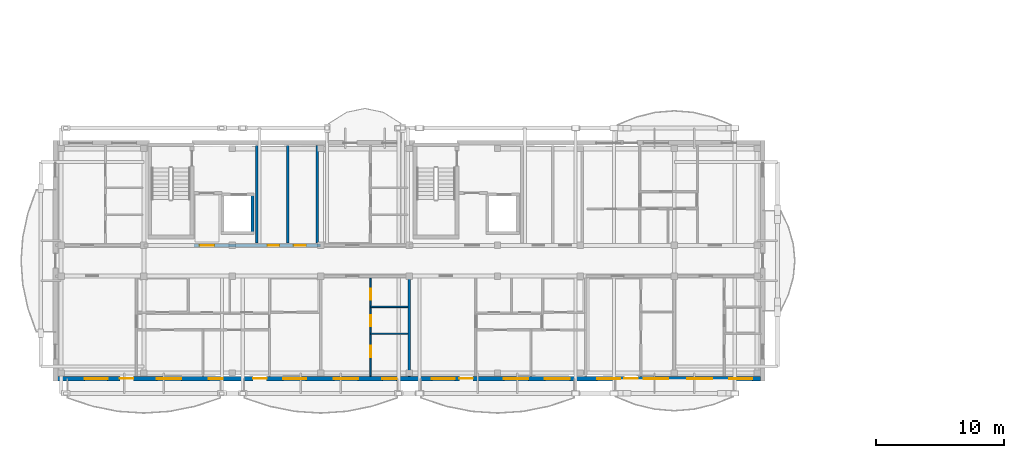
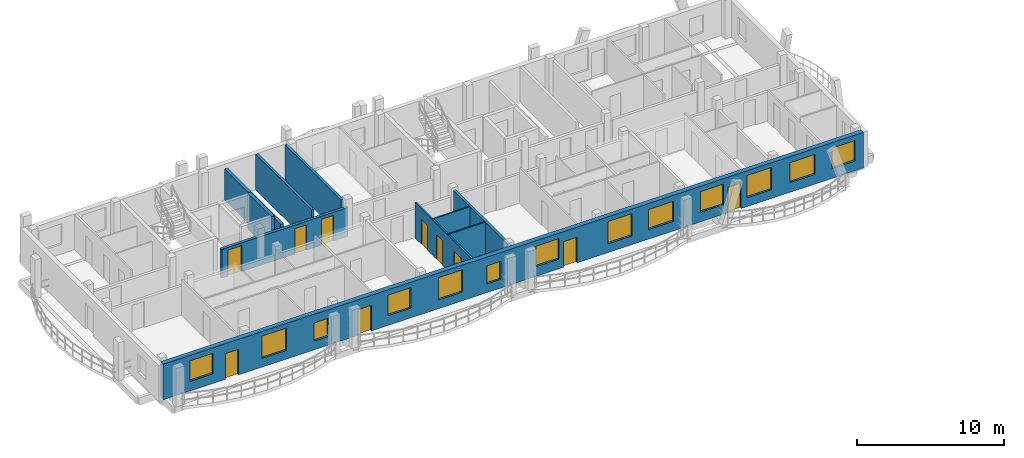
# One storey, part 15 of 44: 13 windows, 10 doors, 10 walls, 23 openings.
"""IFC4 building model written with IfcOpenShell, lengths in metres."""

from ifc_helpers import new_model, si_unit, direction, frame, frame_2d, origin, origin_with_axes, place, context, subcontext, project, spatial, rectangle, extrude, material, layer, layer_set, type_object, element, fill, save


model = new_model("IFC4")

# Units and contexts
model_context = context("Model", 3, precision=1e-05, world=origin(), true_north=direction((0.0, 1.0)))
body_context = subcontext(model_context, "Body", "Model", "MODEL_VIEW")
ifc_project = project(units=[si_unit("LENGTHUNIT", "METRE"), si_unit("AREAUNIT", "SQUARE_METRE"), si_unit("VOLUMEUNIT", "CUBIC_METRE"), si_unit("PLANEANGLEUNIT", "RADIAN"), si_unit("MASSUNIT", "GRAM", prefix="KILO")], contexts=[model_context])

# Site, building, storey
site_placement = place(None, origin())
site = spatial("IfcSite", under=ifc_project, at=site_placement, CompositionType="ELEMENT")
building_placement = place(site_placement, origin())
building = spatial("IfcBuilding", under=site, at=building_placement, Name="Zavelmont Quarter", CompositionType="ELEMENT")
storey_placement = place(building_placement, frame((0.0, 0.0, 20.800048828125)))
storey = spatial("IfcBuildingStorey", under=building, at=storey_placement, Name="L06", CompositionType="ELEMENT", Elevation=20.800048828125)

# Wall, openings, doors, windows
ifc_material_1 = material(Name="Natural Belgian limestone", Category="masonry")
ifc_layer_1 = layer(ifc_material_1, 0.360107421875)
ifc_layer_set_1 = layer_set([ifc_layer_1], Name="Natural Belgian limestone")
wall_type_1 = type_object("IfcWallType", Name="EW02", PredefinedType="STANDARD", material=ifc_layer_set_1)
wall_1_placement = place(storey_placement, frame((0.169921875, 0.0, 0.0), z_axis=(0.0, 0.0, 1.0), x_axis=(1.0, 0.0, 0.0)))
wall_1 = element("IfcWall", 1, at=wall_1_placement, inside=storey, type_object=wall_type_1, Name="L06 exterior limestone wall EW02", PredefinedType="STANDARD", context=body_context, shape_type="SweptSolid", body=[
    extrude(rectangle(XDim=54.860107421875, YDim=0.360107421875, at=frame_2d((27.43017578125, 0.0))), origin(), (0.0, 0.0, 1.0), 2.949951171875),
])
opening_1_placement = place(wall_1_placement, frame((4.8623046875, 0.0, 0.0)))
opening_1 = element("IfcOpeningElement", 2, at=opening_1_placement, cuts=wall_1, Name="Opening DR04A", PredefinedType="OPENING", context=body_context, shape_type="SweptSolid", body=[
    extrude(rectangle(XDim=1.050048828125, YDim=2.1201171875, at=frame_2d((0.52490234375, 1.06005859375))), frame((0.0, 0.19189453125, 0.0), z_axis=(0.0, -1.0, 0.0), x_axis=(1.0, 0.0, 0.0)), (0.0, 0.0, 1.0), 0.384033203125),
])
opening_2_placement = place(wall_1_placement, frame((15.26220703125, 0.0, 0.0)))
opening_2 = element("IfcOpeningElement", 3, at=opening_2_placement, cuts=wall_1, Name="Opening DR04A", PredefinedType="OPENING", context=body_context, shape_type="SweptSolid", body=[
    extrude(rectangle(XDim=1.050048828125, YDim=2.1201171875, at=frame_2d((0.52490234375, 1.06005859375))), frame((0.0, 0.19189453125, 0.0), z_axis=(0.0, -1.0, 0.0), x_axis=(1.0, 0.0, 0.0)), (0.0, 0.0, 1.0), 0.384033203125),
])
opening_3_placement = place(wall_1_placement, frame((31.3623046875, 0.0, 0.0)))
opening_3 = element("IfcOpeningElement", 4, at=opening_3_placement, cuts=wall_1, Name="Opening DR04A", PredefinedType="OPENING", context=body_context, shape_type="SweptSolid", body=[
    extrude(rectangle(XDim=1.050048828125, YDim=2.1201171875, at=frame_2d((0.52490234375, 1.06005859375))), frame((0.0, 0.19189453125, 0.0), z_axis=(0.0, -1.0, 0.0), x_axis=(1.0, 0.0, 0.0)), (0.0, 0.0, 1.0), 0.384033203125),
])
opening_4_placement = place(wall_1_placement, frame((44.2353515625, 0.0, 0.0)))
opening_4 = element("IfcOpeningElement", 5, at=opening_4_placement, cuts=wall_1, Name="Opening DR04A", PredefinedType="OPENING", context=body_context, shape_type="SweptSolid", body=[
    extrude(rectangle(XDim=1.050048828125, YDim=2.1201171875, at=frame_2d((0.52490234375, 1.06005859375))), frame((0.0, 0.19189453125, 0.0), z_axis=(0.0, -1.0, 0.0), x_axis=(1.0, 0.0, 0.0)), (0.0, 0.0, 1.0), 0.384033203125),
])
opening_5_placement = place(wall_1_placement, frame((2.10009765625, 0.0, 0.800048828125)))
opening_5 = element("IfcOpeningElement", 6, at=opening_5_placement, cuts=wall_1, Name="Opening WN02", PredefinedType="OPENING", context=body_context, shape_type="SweptSolid", body=[
    extrude(rectangle(XDim=1.800048828125, YDim=1.699951171875, at=frame_2d((0.89990234375, 0.85009765625))), frame((0.0, 0.19189453125, 0.0), z_axis=(0.0, -1.0, 0.0), x_axis=(1.0, 0.0, 0.0)), (0.0, 0.0, 1.0), 0.384033203125),
])
opening_6_placement = place(wall_1_placement, frame((7.75, 0.0, 0.719970703125)))
opening_6 = element("IfcOpeningElement", 7, at=opening_6_placement, cuts=wall_1, Name="Opening WN20", PredefinedType="OPENING", context=body_context, shape_type="SweptSolid", body=[
    extrude(rectangle(XDim=1.89990234375, YDim=1.85009765625, at=frame_2d((0.949951171875, 0.925048828125))), frame((0.0, 0.19189453125, 0.0), z_axis=(0.0, -1.0, 0.0), x_axis=(1.0, 0.0, 0.0)), (0.0, 0.0, 1.0), 0.384033203125),
])
opening_7_placement = place(wall_1_placement, frame((11.800048828125, 0.0, 0.719970703125)))
opening_7 = element("IfcOpeningElement", 8, at=opening_7_placement, cuts=wall_1, Name="Opening WN09", PredefinedType="OPENING", context=body_context, shape_type="SweptSolid", body=[
    extrude(rectangle(XDim=1.10009765625, YDim=1.5, at=frame_2d((0.550048828125, 0.75))), frame((0.0, 0.19189453125, 0.0), z_axis=(0.0, -1.0, 0.0), x_axis=(1.0, 0.0, 0.0)), (0.0, 0.0, 1.0), 0.384033203125),
])
opening_8_placement = place(wall_1_placement, frame((17.60009765625, 0.0, 0.800048828125)))
opening_8 = element("IfcOpeningElement", 9, at=opening_8_placement, cuts=wall_1, Name="Opening WN02", PredefinedType="OPENING", context=body_context, shape_type="SweptSolid", body=[
    extrude(rectangle(XDim=1.800048828125, YDim=1.699951171875, at=frame_2d((0.89990234375, 0.85009765625))), frame((0.0, 0.19189453125, 0.0), z_axis=(0.0, -1.0, 0.0), x_axis=(1.0, 0.0, 0.0)), (0.0, 0.0, 1.0), 0.384033203125),
])
opening_9_placement = place(wall_1_placement, frame((21.550048828125, 0.0, 0.719970703125)))
opening_9 = element("IfcOpeningElement", 10, at=opening_9_placement, cuts=wall_1, Name="Opening WN20", PredefinedType="OPENING", context=body_context, shape_type="SweptSolid", body=[
    extrude(rectangle(XDim=1.89990234375, YDim=1.85009765625, at=frame_2d((0.949951171875, 0.925048828125))), frame((0.0, 0.19189453125, 0.0), z_axis=(0.0, -1.0, 0.0), x_axis=(1.0, 0.0, 0.0)), (0.0, 0.0, 1.0), 0.384033203125),
])
opening_10_placement = place(wall_1_placement, frame((25.35009765625, 0.0, 0.719970703125)))
opening_10 = element("IfcOpeningElement", 11, at=opening_10_placement, cuts=wall_1, Name="Opening WN09", PredefinedType="OPENING", context=body_context, shape_type="SweptSolid", body=[
    extrude(rectangle(XDim=1.10009765625, YDim=1.5, at=frame_2d((0.550048828125, 0.75))), frame((0.0, 0.19189453125, 0.0), z_axis=(0.0, -1.0, 0.0), x_axis=(1.0, 0.0, 0.0)), (0.0, 0.0, 1.0), 0.384033203125),
])
opening_11_placement = place(wall_1_placement, frame((29.199951171875, 0.0, 0.800048828125)))
opening_11 = element("IfcOpeningElement", 12, at=opening_11_placement, cuts=wall_1, Name="Opening WN02", PredefinedType="OPENING", context=body_context, shape_type="SweptSolid", body=[
    extrude(rectangle(XDim=1.800048828125, YDim=1.699951171875, at=frame_2d((0.89990234375, 0.85009765625))), frame((0.0, 0.19189453125, 0.0), z_axis=(0.0, -1.0, 0.0), x_axis=(1.0, 0.0, 0.0)), (0.0, 0.0, 1.0), 0.384033203125),
])
opening_12_placement = place(wall_1_placement, frame((34.83251953125, 0.0, 0.719970703125)))
opening_12 = element("IfcOpeningElement", 13, at=opening_12_placement, cuts=wall_1, Name="Opening WN20", PredefinedType="OPENING", context=body_context, shape_type="SweptSolid", body=[
    extrude(rectangle(XDim=1.89990234375, YDim=1.85009765625, at=frame_2d((0.949951171875, 0.925048828125))), frame((0.0, 0.19189453125, 0.0), z_axis=(0.0, -1.0, 0.0), x_axis=(1.0, 0.0, 0.0)), (0.0, 0.0, 1.0), 0.384033203125),
])
opening_13_placement = place(wall_1_placement, frame((38.02490234375, 0.0, 0.800048828125)))
opening_13 = element("IfcOpeningElement", 14, at=opening_13_placement, cuts=wall_1, Name="Opening WN24", PredefinedType="OPENING", context=body_context, shape_type="SweptSolid", body=[
    extrude(rectangle(XDim=1.949951171875, YDim=1.64990234375, at=frame_2d((0.97509765625, 0.824951171875))), frame((0.0, 0.19189453125, 0.0), z_axis=(0.0, -1.0, 0.0), x_axis=(1.0, 0.0, 0.0)), (0.0, 0.0, 1.0), 0.384033203125),
])
opening_14_placement = place(wall_1_placement, frame((42.10009765625, 0.0, 0.800048828125)))
opening_14 = element("IfcOpeningElement", 15, at=opening_14_placement, cuts=wall_1, Name="Opening WN02", PredefinedType="OPENING", context=body_context, shape_type="SweptSolid", body=[
    extrude(rectangle(XDim=1.800048828125, YDim=1.699951171875, at=frame_2d((0.89990234375, 0.85009765625))), frame((0.0, 0.19189453125, 0.0), z_axis=(0.0, -1.0, 0.0), x_axis=(1.0, 0.0, 0.0)), (0.0, 0.0, 1.0), 0.384033203125),
])
opening_15_placement = place(wall_1_placement, frame((45.75, 0.0, 0.719970703125)))
opening_15 = element("IfcOpeningElement", 16, at=opening_15_placement, cuts=wall_1, Name="Opening WN20", PredefinedType="OPENING", context=body_context, shape_type="SweptSolid", body=[
    extrude(rectangle(XDim=1.89990234375, YDim=1.85009765625, at=frame_2d((0.949951171875, 0.925048828125))), frame((0.0, 0.19189453125, 0.0), z_axis=(0.0, -1.0, 0.0), x_axis=(1.0, 0.0, 0.0)), (0.0, 0.0, 1.0), 0.384033203125),
])
opening_16_placement = place(wall_1_placement, frame((49.125, 0.0, 0.800048828125)))
opening_16 = element("IfcOpeningElement", 17, at=opening_16_placement, cuts=wall_1, Name="Opening WN24", PredefinedType="OPENING", context=body_context, shape_type="SweptSolid", body=[
    extrude(rectangle(XDim=1.949951171875, YDim=1.64990234375, at=frame_2d((0.97509765625, 0.824951171875))), frame((0.0, 0.19189453125, 0.0), z_axis=(0.0, -1.0, 0.0), x_axis=(1.0, 0.0, 0.0)), (0.0, 0.0, 1.0), 0.384033203125),
])
opening_17_placement = place(wall_1_placement, frame((52.4150390625, 0.0, 0.800048828125)))
opening_17 = element("IfcOpeningElement", 18, at=opening_17_placement, cuts=wall_1, Name="Opening WN02", PredefinedType="OPENING", context=body_context, shape_type="SweptSolid", body=[
    extrude(rectangle(XDim=1.800048828125, YDim=1.699951171875, at=frame_2d((0.89990234375, 0.85009765625))), frame((0.0, 0.19189453125, 0.0), z_axis=(0.0, -1.0, 0.0), x_axis=(1.0, 0.0, 0.0)), (0.0, 0.0, 1.0), 0.384033203125),
])
ifc_material_2 = material(Name="Thermally broken aluminium and double safety glass", Category="aluminium")
door_type_1 = type_object("IfcDoorType", Name="DR04A", OperationType="NOTDEFINED", PredefinedType="DOOR", material=ifc_material_2)
door_1_placement = place(opening_1_placement, origin_with_axes())
door_1 = element("IfcDoor", 19, at=door_1_placement, inside=storey, type_object=door_type_1, Name="Block A L06 glazed balcony door", OperationType="SINGLE_SWING_RIGHT", OverallHeight=2.1201171875, OverallWidth=1.050048828125, PredefinedType="DOOR", context=body_context, shape_type="SweptSolid", body=[
    extrude(rectangle(XDim=1.050048828125, YDim=2.1201171875, at=frame_2d((0.52490234375, 1.06005859375))), frame((0.0, 0.02490234375, 0.0), z_axis=(0.0, -1.0, 0.0), x_axis=(1.0, 0.0, 0.0)), (0.0, 0.0, 1.0), 0.050048828125),
])
fill(opening_1, door_1)
door_2_placement = place(opening_2_placement, origin_with_axes())
door_2 = element("IfcDoor", 20, at=door_2_placement, inside=storey, type_object=door_type_1, Name="Block A L06 glazed balcony door", OperationType="SINGLE_SWING_RIGHT", OverallHeight=2.1201171875, OverallWidth=1.050048828125, PredefinedType="DOOR", context=body_context, shape_type="SweptSolid", body=[
    extrude(rectangle(XDim=1.050048828125, YDim=2.1201171875, at=frame_2d((0.52490234375, 1.06005859375))), frame((0.0, 0.02490234375, 0.0), z_axis=(0.0, -1.0, 0.0), x_axis=(1.0, 0.0, 0.0)), (0.0, 0.0, 1.0), 0.050048828125),
])
fill(opening_2, door_2)
door_3_placement = place(opening_3_placement, origin_with_axes())
door_3 = element("IfcDoor", 21, at=door_3_placement, inside=storey, type_object=door_type_1, Name="Block A L06 glazed balcony door", OperationType="SINGLE_SWING_RIGHT", OverallHeight=2.1201171875, OverallWidth=1.050048828125, PredefinedType="DOOR", context=body_context, shape_type="SweptSolid", body=[
    extrude(rectangle(XDim=1.050048828125, YDim=2.1201171875, at=frame_2d((0.52490234375, 1.06005859375))), frame((0.0, 0.02490234375, 0.0), z_axis=(0.0, -1.0, 0.0), x_axis=(1.0, 0.0, 0.0)), (0.0, 0.0, 1.0), 0.050048828125),
])
fill(opening_3, door_3)
door_4_placement = place(opening_4_placement, origin_with_axes())
door_4 = element("IfcDoor", 22, at=door_4_placement, inside=storey, type_object=door_type_1, Name="Block A L06 glazed balcony door", OperationType="SINGLE_SWING_RIGHT", OverallHeight=2.1201171875, OverallWidth=1.050048828125, PredefinedType="DOOR", context=body_context, shape_type="SweptSolid", body=[
    extrude(rectangle(XDim=1.050048828125, YDim=2.1201171875, at=frame_2d((0.52490234375, 1.06005859375))), frame((0.0, 0.02490234375, 0.0), z_axis=(0.0, -1.0, 0.0), x_axis=(1.0, 0.0, 0.0)), (0.0, 0.0, 1.0), 0.050048828125),
])
fill(opening_4, door_4)
ifc_material_3 = material(Name="Double low-E insulated glazing in thermally broken aluminium frame", Category="aluminium")
window_type_1 = type_object("IfcWindowType", Name="WN02", PartitioningType="SINGLE_PANEL", PredefinedType="WINDOW", material=ifc_material_3)
window_1_placement = place(opening_5_placement, origin_with_axes())
window_1 = element("IfcWindow", 23, at=window_1_placement, inside=storey, type_object=window_type_1, Name="L06 window WN02", OverallHeight=1.699951171875, OverallWidth=1.800048828125, PartitioningType="SINGLE_PANEL", PredefinedType="WINDOW", context=body_context, shape_type="SweptSolid", body=[
    extrude(rectangle(XDim=1.800048828125, YDim=1.699951171875, at=frame_2d((0.89990234375, 0.85009765625))), frame((0.0, 0.030029296875, 0.0), z_axis=(0.0, -1.0, 0.0), x_axis=(1.0, 0.0, 0.0)), (0.0, 0.0, 1.0), 0.06005859375),
])
fill(opening_5, window_1)
window_2_placement = place(opening_8_placement, origin_with_axes())
window_2 = element("IfcWindow", 24, at=window_2_placement, inside=storey, type_object=window_type_1, Name="L06 window WN02", OverallHeight=1.699951171875, OverallWidth=1.800048828125, PartitioningType="SINGLE_PANEL", PredefinedType="WINDOW", context=body_context, shape_type="SweptSolid", body=[
    extrude(rectangle(XDim=1.800048828125, YDim=1.699951171875, at=frame_2d((0.89990234375, 0.85009765625))), frame((0.0, 0.030029296875, 0.0), z_axis=(0.0, -1.0, 0.0), x_axis=(1.0, 0.0, 0.0)), (0.0, 0.0, 1.0), 0.06005859375),
])
fill(opening_8, window_2)
window_3_placement = place(opening_11_placement, origin_with_axes())
window_3 = element("IfcWindow", 25, at=window_3_placement, inside=storey, type_object=window_type_1, Name="L06 window WN02", OverallHeight=1.699951171875, OverallWidth=1.800048828125, PartitioningType="SINGLE_PANEL", PredefinedType="WINDOW", context=body_context, shape_type="SweptSolid", body=[
    extrude(rectangle(XDim=1.800048828125, YDim=1.699951171875, at=frame_2d((0.89990234375, 0.85009765625))), frame((0.0, 0.030029296875, 0.0), z_axis=(0.0, -1.0, 0.0), x_axis=(1.0, 0.0, 0.0)), (0.0, 0.0, 1.0), 0.06005859375),
])
fill(opening_11, window_3)
window_4_placement = place(opening_14_placement, origin_with_axes())
window_4 = element("IfcWindow", 26, at=window_4_placement, inside=storey, type_object=window_type_1, Name="L06 window WN02", OverallHeight=1.699951171875, OverallWidth=1.800048828125, PartitioningType="SINGLE_PANEL", PredefinedType="WINDOW", context=body_context, shape_type="SweptSolid", body=[
    extrude(rectangle(XDim=1.800048828125, YDim=1.699951171875, at=frame_2d((0.89990234375, 0.85009765625))), frame((0.0, 0.030029296875, 0.0), z_axis=(0.0, -1.0, 0.0), x_axis=(1.0, 0.0, 0.0)), (0.0, 0.0, 1.0), 0.06005859375),
])
fill(opening_14, window_4)
window_5_placement = place(opening_17_placement, origin_with_axes())
window_5 = element("IfcWindow", 27, at=window_5_placement, inside=storey, type_object=window_type_1, Name="L06 window WN02", OverallHeight=1.699951171875, OverallWidth=1.800048828125, PartitioningType="SINGLE_PANEL", PredefinedType="WINDOW", context=body_context, shape_type="SweptSolid", body=[
    extrude(rectangle(XDim=1.800048828125, YDim=1.699951171875, at=frame_2d((0.89990234375, 0.85009765625))), frame((0.0, 0.030029296875, 0.0), z_axis=(0.0, -1.0, 0.0), x_axis=(1.0, 0.0, 0.0)), (0.0, 0.0, 1.0), 0.06005859375),
])
fill(opening_17, window_5)
window_type_2 = type_object("IfcWindowType", Name="WN09", PartitioningType="SINGLE_PANEL", PredefinedType="WINDOW", material=ifc_material_3)
window_6_placement = place(opening_7_placement, origin_with_axes())
window_6 = element("IfcWindow", 28, at=window_6_placement, inside=storey, type_object=window_type_2, Name="L06 window WN09", OverallHeight=1.5, OverallWidth=1.10009765625, PartitioningType="SINGLE_PANEL", PredefinedType="WINDOW", context=body_context, shape_type="SweptSolid", body=[
    extrude(rectangle(XDim=1.10009765625, YDim=1.5, at=frame_2d((0.550048828125, 0.75))), frame((0.0, 0.030029296875, 0.0), z_axis=(0.0, -1.0, 0.0), x_axis=(1.0, 0.0, 0.0)), (0.0, 0.0, 1.0), 0.06005859375),
])
fill(opening_7, window_6)
window_7_placement = place(opening_10_placement, origin_with_axes())
window_7 = element("IfcWindow", 29, at=window_7_placement, inside=storey, type_object=window_type_2, Name="L06 window WN09", OverallHeight=1.5, OverallWidth=1.10009765625, PartitioningType="SINGLE_PANEL", PredefinedType="WINDOW", context=body_context, shape_type="SweptSolid", body=[
    extrude(rectangle(XDim=1.10009765625, YDim=1.5, at=frame_2d((0.550048828125, 0.75))), frame((0.0, 0.030029296875, 0.0), z_axis=(0.0, -1.0, 0.0), x_axis=(1.0, 0.0, 0.0)), (0.0, 0.0, 1.0), 0.06005859375),
])
fill(opening_10, window_7)
window_type_3 = type_object("IfcWindowType", Name="WN20", PartitioningType="SINGLE_PANEL", PredefinedType="WINDOW", material=ifc_material_3)
window_8_placement = place(opening_6_placement, origin_with_axes())
window_8 = element("IfcWindow", 30, at=window_8_placement, inside=storey, type_object=window_type_3, Name="L06 window WN20", OverallHeight=1.85009765625, OverallWidth=1.89990234375, PartitioningType="SINGLE_PANEL", PredefinedType="WINDOW", context=body_context, shape_type="SweptSolid", body=[
    extrude(rectangle(XDim=1.89990234375, YDim=1.85009765625, at=frame_2d((0.949951171875, 0.925048828125))), frame((0.0, 0.030029296875, 0.0), z_axis=(0.0, -1.0, 0.0), x_axis=(1.0, 0.0, 0.0)), (0.0, 0.0, 1.0), 0.06005859375),
])
fill(opening_6, window_8)
window_9_placement = place(opening_9_placement, origin_with_axes())
window_9 = element("IfcWindow", 31, at=window_9_placement, inside=storey, type_object=window_type_3, Name="L06 window WN20", OverallHeight=1.85009765625, OverallWidth=1.89990234375, PartitioningType="SINGLE_PANEL", PredefinedType="WINDOW", context=body_context, shape_type="SweptSolid", body=[
    extrude(rectangle(XDim=1.89990234375, YDim=1.85009765625, at=frame_2d((0.949951171875, 0.925048828125))), frame((0.0, 0.030029296875, 0.0), z_axis=(0.0, -1.0, 0.0), x_axis=(1.0, 0.0, 0.0)), (0.0, 0.0, 1.0), 0.06005859375),
])
fill(opening_9, window_9)
window_10_placement = place(opening_12_placement, origin_with_axes())
window_10 = element("IfcWindow", 32, at=window_10_placement, inside=storey, type_object=window_type_3, Name="L06 window WN20", OverallHeight=1.85009765625, OverallWidth=1.89990234375, PartitioningType="SINGLE_PANEL", PredefinedType="WINDOW", context=body_context, shape_type="SweptSolid", body=[
    extrude(rectangle(XDim=1.89990234375, YDim=1.85009765625, at=frame_2d((0.949951171875, 0.925048828125))), frame((0.0, 0.030029296875, 0.0), z_axis=(0.0, -1.0, 0.0), x_axis=(1.0, 0.0, 0.0)), (0.0, 0.0, 1.0), 0.06005859375),
])
fill(opening_12, window_10)
window_11_placement = place(opening_15_placement, origin_with_axes())
window_11 = element("IfcWindow", 33, at=window_11_placement, inside=storey, type_object=window_type_3, Name="L06 window WN20", OverallHeight=1.85009765625, OverallWidth=1.89990234375, PartitioningType="SINGLE_PANEL", PredefinedType="WINDOW", context=body_context, shape_type="SweptSolid", body=[
    extrude(rectangle(XDim=1.89990234375, YDim=1.85009765625, at=frame_2d((0.949951171875, 0.925048828125))), frame((0.0, 0.030029296875, 0.0), z_axis=(0.0, -1.0, 0.0), x_axis=(1.0, 0.0, 0.0)), (0.0, 0.0, 1.0), 0.06005859375),
])
fill(opening_15, window_11)
window_type_4 = type_object("IfcWindowType", Name="WN24", PartitioningType="SINGLE_PANEL", PredefinedType="WINDOW", material=ifc_material_3)
window_12_placement = place(opening_13_placement, origin_with_axes())
window_12 = element("IfcWindow", 34, at=window_12_placement, inside=storey, type_object=window_type_4, Name="L06 window WN24", OverallHeight=1.64990234375, OverallWidth=1.949951171875, PartitioningType="SINGLE_PANEL", PredefinedType="WINDOW", context=body_context, shape_type="SweptSolid", body=[
    extrude(rectangle(XDim=1.949951171875, YDim=1.64990234375, at=frame_2d((0.97509765625, 0.824951171875))), frame((0.0, 0.030029296875, 0.0), z_axis=(0.0, -1.0, 0.0), x_axis=(1.0, 0.0, 0.0)), (0.0, 0.0, 1.0), 0.06005859375),
])
fill(opening_13, window_12)
window_13_placement = place(opening_16_placement, origin_with_axes())
window_13 = element("IfcWindow", 35, at=window_13_placement, inside=storey, type_object=window_type_4, Name="L06 window WN24", OverallHeight=1.64990234375, OverallWidth=1.949951171875, PartitioningType="SINGLE_PANEL", PredefinedType="WINDOW", context=body_context, shape_type="SweptSolid", body=[
    extrude(rectangle(XDim=1.949951171875, YDim=1.64990234375, at=frame_2d((0.97509765625, 0.824951171875))), frame((0.0, 0.030029296875, 0.0), z_axis=(0.0, -1.0, 0.0), x_axis=(1.0, 0.0, 0.0)), (0.0, 0.0, 1.0), 0.06005859375),
])
fill(opening_16, window_13)

# Walls
ifc_material_4 = material(Name="Calcium-silicate blockwork and acoustic plaster", Category="masonry")
ifc_layer_2 = layer(ifc_material_4, 0.199951171875)
ifc_layer_set_2 = layer_set([ifc_layer_2], Name="Calcium-silicate blockwork and acoustic plaster")
wall_type_2 = type_object("IfcWallType", Name="IW01", PredefinedType="PARTITIONING", material=ifc_layer_set_2)
for number, where, z_axis, x_axis, name in (
    (36, (18.125, 10.60009765625, 0.0), (0.0, 0.0, 1.0), (0.0, 1.0, 0.0), "L06 Service riser divider wall IW01"),
    (37, (20.419921875, 10.60009765625, 0.0), (0.0, 0.0, 1.0), (0.0, 1.0, 0.0), "L06 Core service end wall IW01"),
):
    element("IfcWall", number, at=place(storey_placement, frame(where, z_axis=z_axis, x_axis=x_axis)), inside=storey, type_object=wall_type_2, Name=name, PredefinedType="PARTITIONING", context=body_context, shape_type="SweptSolid", body=[
        extrude(rectangle(XDim=7.599853515625, YDim=0.199951171875, at=frame_2d((3.7998046875, 0.0))), origin(), (0.0, 0.0, 1.0), 2.949951171875),
    ])
wall_2_placement = place(storey_placement, frame((27.60009765625, 7.85009765625, 0.0), z_axis=(0.0, 0.0, 1.0), x_axis=(0.0, -1.0, 0.0)))
element("IfcWall", 38, at=wall_2_placement, inside=storey, type_object=wall_type_2, Name="L06 Inter-dwelling compartment wall IW01", PredefinedType="PARTITIONING", context=body_context, shape_type="SweptSolid", body=[
    extrude(rectangle(XDim=7.7001953125, YDim=0.199951171875, at=frame_2d((3.85009765625, 0.0))), origin(), (0.0, 0.0, 1.0), 2.949951171875),
])
ifc_material_5 = material(Name="Reinforced masonry fire compartment wall", Category="masonry")
ifc_layer_3 = layer(ifc_material_5, 0.22509765625)
ifc_layer_set_3 = layer_set([ifc_layer_3], Name="Reinforced masonry fire compartment wall")
wall_type_3 = type_object("IfcWallType", Name="IW02", PredefinedType="PARTITIONING", material=ifc_layer_set_3)
wall_3_placement = place(storey_placement, frame((15.7099609375, 10.60009765625, 0.0), z_axis=(0.0, 0.0, 1.0), x_axis=(0.0, 1.0, 0.0)))
element("IfcWall", 39, at=wall_3_placement, inside=storey, type_object=wall_type_3, Name="L06 Firefighting lobby enclosure wall IW02", PredefinedType="PARTITIONING", context=body_context, shape_type="SweptSolid", body=[
    extrude(rectangle(XDim=7.599853515625, YDim=0.22509765625, at=frame_2d((3.7998046875, 0.0))), origin(), (0.0, 0.0, 1.0), 2.58984375),
])

# Wall, openings, doors
wall_4_placement = place(storey_placement, frame((10.800048828125, 10.39990234375, 0.0), z_axis=(0.0, 0.0, 1.0), x_axis=(1.0, 0.0, 0.0)))
wall_4 = element("IfcWall", 40, at=wall_4_placement, inside=storey, type_object=wall_type_3, Name="L06 Core corridor fire wall IW02", PredefinedType="PARTITIONING", context=body_context, shape_type="SweptSolid", body=[
    extrude(rectangle(XDim=9.89990234375, YDim=0.22509765625, at=frame_2d((4.949951171875, 0.0))), origin(), (0.0, 0.0, 1.0), 2.389892578125),
])
opening_18_placement = place(wall_4_placement, frame((0.47509765625, 0.0, 0.0)))
opening_18 = element("IfcOpeningElement", 41, at=opening_18_placement, cuts=wall_4, Name="Opening DR10", PredefinedType="OPENING", context=body_context, shape_type="SweptSolid", body=[
    extrude(rectangle(XDim=1.10009765625, YDim=2.14990234375, at=frame_2d((0.550048828125, 1.074951171875))), frame((0.0, 0.12451171875, 0.0), z_axis=(0.0, -1.0, 0.0), x_axis=(1.0, 0.0, 0.0)), (0.0, 0.0, 1.0), 0.2490234375),
])
opening_19_placement = place(wall_4_placement, frame((5.75, 0.0, 0.0)))
opening_19 = element("IfcOpeningElement", 42, at=opening_19_placement, cuts=wall_4, Name="Opening DR11", PredefinedType="OPENING", context=body_context, shape_type="SweptSolid", body=[
    extrude(rectangle(XDim=0.89990234375, YDim=2.10009765625, at=frame_2d((0.449951171875, 1.050048828125))), frame((0.0, 0.12451171875, 0.0), z_axis=(0.0, -1.0, 0.0), x_axis=(1.0, 0.0, 0.0)), (0.0, 0.0, 1.0), 0.2490234375),
])
opening_20_placement = place(wall_4_placement, frame((7.800048828125, 0.0, 0.0)))
opening_20 = element("IfcOpeningElement", 43, at=opening_20_placement, cuts=wall_4, Name="Opening DR02", PredefinedType="OPENING", context=body_context, shape_type="SweptSolid", body=[
    extrude(rectangle(XDim=0.949951171875, YDim=2.14990234375, at=frame_2d((0.47509765625, 1.074951171875))), frame((0.0, 0.12451171875, 0.0), z_axis=(0.0, -1.0, 0.0), x_axis=(1.0, 0.0, 0.0)), (0.0, 0.0, 1.0), 0.2490234375),
])
ifc_material_6 = material(Name="Solid-core oak fire leaf in steel frame", Category="steel")
door_type_2 = type_object("IfcDoorType", Name="DR02", OperationType="NOTDEFINED", PredefinedType="DOOR", material=ifc_material_6)
door_5_placement = place(opening_20_placement, frame((0.949951171875, 0.0, 0.0), z_axis=(0.0, 0.0, 1.0), x_axis=(-1.0, 0.0, 0.0)))
door_5 = element("IfcDoor", 44, at=door_5_placement, inside=storey, type_object=door_type_2, Name="Auxiliary store corridor door", OperationType="SINGLE_SWING_RIGHT", OverallHeight=2.14990234375, OverallWidth=0.949951171875, PredefinedType="DOOR", context=body_context, shape_type="SweptSolid", body=[
    extrude(rectangle(XDim=0.949951171875, YDim=2.14990234375, at=frame_2d((0.47509765625, 1.074951171875))), frame((0.0, 0.02490234375, 0.0), z_axis=(0.0, -1.0, 0.0), x_axis=(1.0, 0.0, 0.0)), (0.0, 0.0, 1.0), 0.050048828125),
])
fill(opening_20, door_5)
ifc_material_7 = material(Name="Painted steel lobby fire door", Category="steel")
door_type_3 = type_object("IfcDoorType", Name="DR10", OperationType="NOTDEFINED", PredefinedType="DOOR", material=ifc_material_7)
door_6_placement = place(opening_18_placement, origin_with_axes())
door_6 = element("IfcDoor", 45, at=door_6_placement, inside=storey, type_object=door_type_3, Name="Core vestibule fire door", OperationType="SINGLE_SWING_LEFT", OverallHeight=2.14990234375, OverallWidth=1.10009765625, PredefinedType="DOOR", context=body_context, shape_type="SweptSolid", body=[
    extrude(rectangle(XDim=1.10009765625, YDim=2.14990234375, at=frame_2d((0.550048828125, 1.074951171875))), frame((0.0, 0.02490234375, 0.0), z_axis=(0.0, -1.0, 0.0), x_axis=(1.0, 0.0, 0.0)), (0.0, 0.0, 1.0), 0.050048828125),
])
fill(opening_18, door_6)
ifc_material_8 = material(Name="Painted steel service-riser fire door", Category="steel")
door_type_4 = type_object("IfcDoorType", Name="DR11", OperationType="NOTDEFINED", PredefinedType="DOOR", material=ifc_material_8)
door_7_placement = place(opening_19_placement, frame((0.89990234375, 0.0, 0.0), z_axis=(0.0, 0.0, 1.0), x_axis=(-1.0, 0.0, 0.0)))
door_7 = element("IfcDoor", 46, at=door_7_placement, inside=storey, type_object=door_type_4, Name="Service riser fire door", OperationType="SINGLE_SWING_LEFT", OverallHeight=2.10009765625, OverallWidth=0.89990234375, PredefinedType="DOOR", context=body_context, shape_type="SweptSolid", body=[
    extrude(rectangle(XDim=0.89990234375, YDim=2.10009765625, at=frame_2d((0.449951171875, 1.050048828125))), frame((0.0, 0.02490234375, 0.0), z_axis=(0.0, -1.0, 0.0), x_axis=(1.0, 0.0, 0.0)), (0.0, 0.0, 1.0), 0.050048828125),
])
fill(opening_19, door_7)

ifc_material_9 = material(Name="Double gypsum board on acoustic steel stud", Category="steel")
ifc_layer_4 = layer(ifc_material_9, 0.125)
ifc_layer_set_4 = layer_set([ifc_layer_4], Name="Double gypsum board on acoustic steel stud")
wall_type_4 = type_object("IfcWallType", Name="IW03", PredefinedType="PARTITIONING", material=ifc_layer_set_4)
wall_5_placement = place(storey_placement, frame((24.60009765625, 7.85009765625, 0.0), z_axis=(0.0, 0.0, 1.0), x_axis=(0.0, -1.0, 0.0)))
wall_5 = element("IfcWall", 47, at=wall_5_placement, inside=storey, type_object=wall_type_4, Name="L06 Partition IW03", PredefinedType="PARTITIONING", context=body_context, shape_type="SweptSolid", body=[
    extrude(rectangle(XDim=7.650146484375, YDim=0.125, at=frame_2d((3.8251953125, 0.0))), origin(), (0.0, 0.0, 1.0), 2.949951171875),
])
opening_21_placement = place(wall_5_placement, frame((0.85009765625, 0.0, 0.0)))
opening_21 = element("IfcOpeningElement", 48, at=opening_21_placement, cuts=wall_5, Name="Opening DR16", PredefinedType="OPENING", context=body_context, shape_type="SweptSolid", body=[
    extrude(rectangle(XDim=0.85009765625, YDim=2.10009765625, at=frame_2d((0.425048828125, 1.050048828125))), frame((0.0, 0.074462890625, 0.0), z_axis=(0.0, -1.0, 0.0), x_axis=(1.0, 0.0, 0.0)), (0.0, 0.0, 1.0), 0.14892578125),
])
opening_22_placement = place(wall_5_placement, frame((2.89990234375, 0.0, 0.0)))
opening_22 = element("IfcOpeningElement", 49, at=opening_22_placement, cuts=wall_5, Name="Opening DR06", PredefinedType="OPENING", context=body_context, shape_type="SweptSolid", body=[
    extrude(rectangle(XDim=0.85009765625, YDim=2.050048828125, at=frame_2d((0.425048828125, 1.02490234375))), frame((0.0, 0.074462890625, 0.0), z_axis=(0.0, -1.0, 0.0), x_axis=(1.0, 0.0, 0.0)), (0.0, 0.0, 1.0), 0.14892578125),
])
opening_23_placement = place(wall_5_placement, frame((5.300048828125, 0.0, 0.0)))
opening_23 = element("IfcOpeningElement", 50, at=opening_23_placement, cuts=wall_5, Name="Opening DR05", PredefinedType="OPENING", context=body_context, shape_type="SweptSolid", body=[
    extrude(rectangle(XDim=0.89990234375, YDim=2.10009765625, at=frame_2d((0.449951171875, 1.050048828125))), frame((0.0, 0.074462890625, 0.0), z_axis=(0.0, -1.0, 0.0), x_axis=(1.0, 0.0, 0.0)), (0.0, 0.0, 1.0), 0.14892578125),
])
ifc_material_10 = material(Name="Engineered oak flush interior door")
door_type_5 = type_object("IfcDoorType", Name="DR05", OperationType="NOTDEFINED", PredefinedType="DOOR", material=ifc_material_10)
door_8_placement = place(opening_23_placement, frame((0.89990234375, 0.0, 0.0), z_axis=(0.0, 0.0, 1.0), x_axis=(-1.0, 0.0, 0.0)))
door_8 = element("IfcDoor", 51, at=door_8_placement, inside=storey, type_object=door_type_5, Name="L06 door DR05", OperationType="SINGLE_SWING_LEFT", OverallHeight=2.10009765625, OverallWidth=0.89990234375, PredefinedType="DOOR", context=body_context, shape_type="SweptSolid", body=[
    extrude(rectangle(XDim=0.89990234375, YDim=2.10009765625, at=frame_2d((0.449951171875, 1.050048828125))), frame((0.0, 0.02490234375, 0.0), z_axis=(0.0, -1.0, 0.0), x_axis=(1.0, 0.0, 0.0)), (0.0, 0.0, 1.0), 0.050048828125),
])
fill(opening_23, door_8)
ifc_material_11 = material(Name="Moisture-resistant painted wet-room door")
door_type_6 = type_object("IfcDoorType", Name="DR06", OperationType="NOTDEFINED", PredefinedType="DOOR", material=ifc_material_11)
door_9_placement = place(opening_22_placement, origin_with_axes())
door_9 = element("IfcDoor", 52, at=door_9_placement, inside=storey, type_object=door_type_6, Name="L06 door DR06", OperationType="SINGLE_SWING_RIGHT", OverallHeight=2.050048828125, OverallWidth=0.85009765625, PredefinedType="DOOR", context=body_context, shape_type="SweptSolid", body=[
    extrude(rectangle(XDim=0.85009765625, YDim=2.050048828125, at=frame_2d((0.425048828125, 1.02490234375))), frame((0.0, 0.02490234375, 0.0), z_axis=(0.0, -1.0, 0.0), x_axis=(1.0, 0.0, 0.0)), (0.0, 0.0, 1.0), 0.050048828125),
])
fill(opening_22, door_9)
door_type_7 = type_object("IfcDoorType", Name="DR16", OperationType="NOTDEFINED", PredefinedType="DOOR", material=ifc_material_10)
door_10_placement = place(opening_21_placement, frame((0.85009765625, 0.0, 0.0), z_axis=(0.0, 0.0, 1.0), x_axis=(-1.0, 0.0, 0.0)))
door_10 = element("IfcDoor", 53, at=door_10_placement, inside=storey, type_object=door_type_7, Name="L06 door DR16", OperationType="SINGLE_SWING_LEFT", OverallHeight=2.10009765625, OverallWidth=0.85009765625, PredefinedType="DOOR", context=body_context, shape_type="SweptSolid", body=[
    extrude(rectangle(XDim=0.85009765625, YDim=2.10009765625, at=frame_2d((0.425048828125, 1.050048828125))), frame((0.0, 0.02490234375, 0.0), z_axis=(0.0, -1.0, 0.0), x_axis=(1.0, 0.0, 0.0)), (0.0, 0.0, 1.0), 0.050048828125),
])
fill(opening_21, door_10)

# Walls
ifc_material_12 = material(Name="Moisture-resistant gypsum board on steel stud", Category="steel")
ifc_layer_5 = layer(ifc_material_12, 0.10009765625)
ifc_layer_set_5 = layer_set([ifc_layer_5], Name="Moisture-resistant gypsum board on steel stud")
wall_type_5 = type_object("IfcWallType", Name="IW04", PredefinedType="PARTITIONING", material=ifc_layer_set_5)
for number, where, z_axis, x_axis, name in (
    (54, (24.60009765625, 5.60009765625, 0.0), (0.0, 0.0, 1.0), (1.0, 0.0, 0.0), "L06 Partition IW04"),
    (55, (24.60009765625, 3.5, 0.0), (0.0, 0.0, 1.0), (1.0, 0.0, 0.0), "L06 Partition IW04"),
):
    element("IfcWall", number, at=place(storey_placement, frame(where, z_axis=z_axis, x_axis=x_axis)), inside=storey, type_object=wall_type_5, Name=name, PredefinedType="PARTITIONING", context=body_context, shape_type="SweptSolid", body=[
        extrude(rectangle(XDim=2.89990234375, YDim=0.10009765625, at=frame_2d((1.449951171875, 0.0))), origin(), (0.0, 0.0, 1.0), 2.949951171875),
    ])
ifc_material_13 = material(Name="Concrete C40/50", Category="concrete")
ifc_layer_6 = layer(ifc_material_13, 0.25)
ifc_layer_set_6 = layer_set([ifc_layer_6], Name="Concrete C40/50")
wall_type_6 = type_object("IfcWallType", Name="SW02", PredefinedType="SHEAR", material=ifc_layer_set_6)
wall_6_placement = place(storey_placement, frame((15.375, 11.25, 0.0), z_axis=(0.0, 0.0, 1.0), x_axis=(0.0, 1.0, 0.0)))
element("IfcWall", 56, at=wall_6_placement, inside=storey, type_object=wall_type_6, Name="L06 Lift FL01 east shaft wall SW02", PredefinedType="SHEAR", context=body_context, shape_type="SweptSolid", body=[
    extrude(rectangle(XDim=3.25, YDim=0.25, at=frame_2d((1.625, 0.0))), origin(), (0.0, 0.0, 1.0), 2.949951171875),
])

save(model, "model.ifc")
